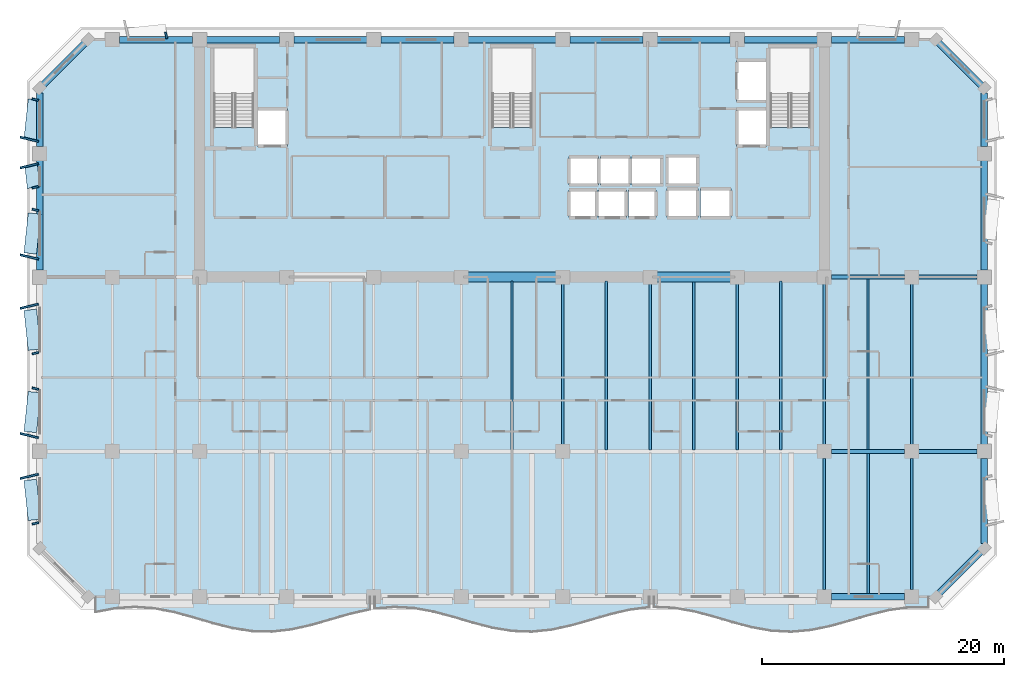
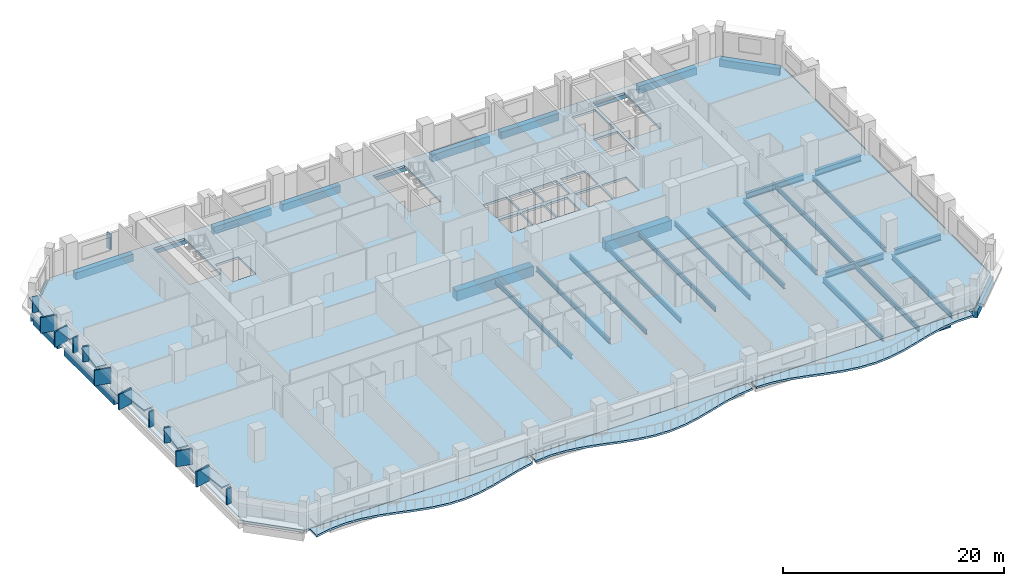
# One storey, part 2 of 14: 38 beams, 19 plates, 4 slabs.
"""IFC4 building model written with IfcOpenShell, lengths in metres."""

from ifc_helpers import new_model, si_unit, direction, frame, origin, origin_2d, place, context, subcontext, project, spatial, polyline, rectangle, i_section, outline, extrude, material, layer, layer_set, material_profile, profile_set, type_object, element, save


model = new_model("IFC4")

# Units and contexts
model_context = context("Model", 3, precision=1e-05, world=origin(), true_north=direction((0.0, 1.0)))
body_context = subcontext(model_context, "Body", "Model", "MODEL_VIEW")
ifc_project = project(units=[si_unit("LENGTHUNIT", "METRE"), si_unit("AREAUNIT", "SQUARE_METRE"), si_unit("VOLUMEUNIT", "CUBIC_METRE"), si_unit("PLANEANGLEUNIT", "RADIAN"), si_unit("MASSUNIT", "GRAM", prefix="KILO")], contexts=[model_context])

# Site, building, storey
site_placement = place(None, origin())
site = spatial("IfcSite", under=ifc_project, at=site_placement, CompositionType="ELEMENT")
building_placement = place(site_placement, origin())
building = spatial("IfcBuilding", under=site, at=building_placement, Name="Kaelvorn Grand Hotel", CompositionType="ELEMENT")
storey_placement = place(building_placement, frame((0.0, 0.0, 165.75)))
storey = spatial("IfcBuildingStorey", under=building, at=storey_placement, Name="L40", CompositionType="ELEMENT", Elevation=165.75)

# Beams
ifc_material_1 = material(Name="Steel S355", Category="steel")
ifc_material_profile_1 = material_profile(ifc_material_1, i_section(OverallWidth=0.300048828125, OverallDepth=0.64990234375, WebThickness=0.01611328125, FlangeThickness=0.031005859375, FilletRadius=0.027099609375, at=origin_2d()), Name="HEB 650")
ifc_profile_set_1 = profile_set([ifc_material_profile_1], Name="Steel S355")
beam_type_1 = type_object("IfcBeamType", Name="BM-G-HEB650-S355", PredefinedType="BEAM", material=ifc_profile_set_1)
beam_1_placement = place(storey_placement, frame((68.385009765625, 15.0, -0.56494140625), z_axis=(1.0, 0.0, 0.0), x_axis=(0.0, 1.0, 0.0)))
element("IfcBeam", 1, at=beam_1_placement, inside=storey, type_object=beam_type_1, Name="L40 Primary Spine Steel Girder G-15 06", PredefinedType="BEAM", context=body_context, shape_type="SweptSolid", body=[
    extrude(i_section(OverallWidth=0.300048828125, OverallDepth=0.64990234375, WebThickness=0.01611328125, FlangeThickness=0.031005859375, FilletRadius=0.027099609375, at=origin_2d()), origin(), (0.0, 0.0, 1.0), 6.030029296875),
])
beam_2_placement = place(storey_placement, frame((75.5849609375, 15.0, -0.56494140625), z_axis=(1.0, 0.0, 0.0), x_axis=(0.0, 1.0, 0.0)))
element("IfcBeam", 2, at=beam_2_placement, inside=storey, type_object=beam_type_1, Name="L40 Primary Spine Steel Girder G-15 07", PredefinedType="BEAM", context=body_context, shape_type="SweptSolid", body=[
    extrude(i_section(OverallWidth=0.300048828125, OverallDepth=0.64990234375, WebThickness=0.01611328125, FlangeThickness=0.031005859375, FilletRadius=0.027099609375, at=origin_2d()), origin(), (0.0, 0.0, 1.0), 4.830078125),
])
beam_3_placement = place(storey_placement, frame((68.385009765625, 29.39990234375, -0.56494140625), z_axis=(1.0, 0.0, 0.0), x_axis=(0.0, 1.0, 0.0)))
element("IfcBeam", 3, at=beam_3_placement, inside=storey, type_object=beam_type_1, Name="L40 East Core Wing Steel Girder G-29E 01", PredefinedType="BEAM", context=body_context, shape_type="SweptSolid", body=[
    extrude(i_section(OverallWidth=0.300048828125, OverallDepth=0.64990234375, WebThickness=0.01611328125, FlangeThickness=0.031005859375, FilletRadius=0.027099609375, at=origin_2d()), origin(), (0.0, 0.0, 1.0), 6.030029296875),
])
beam_4_placement = place(storey_placement, frame((75.5849609375, 29.39990234375, -0.56494140625), z_axis=(1.0, 0.0, 0.0), x_axis=(0.0, 1.0, 0.0)))
element("IfcBeam", 4, at=beam_4_placement, inside=storey, type_object=beam_type_1, Name="L40 East Core Wing Steel Girder G-29E 02", PredefinedType="BEAM", context=body_context, shape_type="SweptSolid", body=[
    extrude(i_section(OverallWidth=0.300048828125, OverallDepth=0.64990234375, WebThickness=0.01611328125, FlangeThickness=0.031005859375, FilletRadius=0.027099609375, at=origin_2d()), origin(), (0.0, 0.0, 1.0), 4.830078125),
])
ifc_material_profile_2 = material_profile(ifc_material_1, i_section(OverallWidth=0.199951171875, OverallDepth=0.5, WebThickness=0.01025390625, FlangeThickness=0.01611328125, FilletRadius=0.02099609375, at=origin_2d()), Name="IPE 500")
ifc_profile_set_2 = profile_set([ifc_material_profile_2], Name="Steel S355")
beam_type_2 = type_object("IfcBeamType", Name="BM-J-IPE500-S355", PredefinedType="JOIST", material=ifc_profile_set_2)
beam_5_placement = place(storey_placement, frame((42.0, 15.135009765625, -0.489990234375), z_axis=(0.0, 1.0, 0.0), x_axis=(-1.0, 0.0, 0.0)))
element("IfcBeam", 5, at=beam_5_placement, inside=storey, type_object=beam_type_2, Name="L40 Composite Floor Joist JM-12", PredefinedType="JOIST", context=body_context, shape_type="SweptSolid", body=[
    extrude(i_section(OverallWidth=0.199951171875, OverallDepth=0.5, WebThickness=0.01025390625, FlangeThickness=0.01611328125, FilletRadius=0.02099609375, at=origin_2d()), origin(), (0.0, 0.0, 1.0), 13.925048828125),
])
beam_6_placement = place(storey_placement, frame((46.199951171875, 15.5849609375, -0.489990234375), z_axis=(0.0, 1.0, 0.0), x_axis=(-1.0, 0.0, 0.0)))
element("IfcBeam", 6, at=beam_6_placement, inside=storey, type_object=beam_type_2, Name="L40 Composite Floor Joist JM-13", PredefinedType="JOIST", context=body_context, shape_type="SweptSolid", body=[
    extrude(i_section(OverallWidth=0.199951171875, OverallDepth=0.5, WebThickness=0.01025390625, FlangeThickness=0.01611328125, FilletRadius=0.02099609375, at=origin_2d()), origin(), (0.0, 0.0, 1.0), 13.22998046875),
])
beam_7_placement = place(storey_placement, frame((49.800048828125, 15.135009765625, -0.489990234375), z_axis=(0.0, 1.0, 0.0), x_axis=(-1.0, 0.0, 0.0)))
element("IfcBeam", 7, at=beam_7_placement, inside=storey, type_object=beam_type_2, Name="L40 Composite Floor Joist JM-14", PredefinedType="JOIST", context=body_context, shape_type="SweptSolid", body=[
    extrude(i_section(OverallWidth=0.199951171875, OverallDepth=0.5, WebThickness=0.01025390625, FlangeThickness=0.01611328125, FilletRadius=0.02099609375, at=origin_2d()), origin(), (0.0, 0.0, 1.0), 13.925048828125),
])
beam_8_placement = place(storey_placement, frame((53.39990234375, 15.135009765625, -0.489990234375), z_axis=(0.0, 1.0, 0.0), x_axis=(-1.0, 0.0, 0.0)))
element("IfcBeam", 8, at=beam_8_placement, inside=storey, type_object=beam_type_2, Name="L40 Composite Floor Joist JM-15", PredefinedType="JOIST", context=body_context, shape_type="SweptSolid", body=[
    extrude(i_section(OverallWidth=0.199951171875, OverallDepth=0.5, WebThickness=0.01025390625, FlangeThickness=0.01611328125, FilletRadius=0.02099609375, at=origin_2d()), origin(), (0.0, 0.0, 1.0), 13.679931640625),
])
beam_9_placement = place(storey_placement, frame((57.0, 15.135009765625, -0.489990234375), z_axis=(0.0, 1.0, 0.0), x_axis=(-1.0, 0.0, 0.0)))
element("IfcBeam", 9, at=beam_9_placement, inside=storey, type_object=beam_type_2, Name="L40 Composite Floor Joist JM-16", PredefinedType="JOIST", context=body_context, shape_type="SweptSolid", body=[
    extrude(i_section(OverallWidth=0.199951171875, OverallDepth=0.5, WebThickness=0.01025390625, FlangeThickness=0.01611328125, FilletRadius=0.02099609375, at=origin_2d()), origin(), (0.0, 0.0, 1.0), 13.925048828125),
])
beam_10_placement = place(storey_placement, frame((60.60009765625, 15.135009765625, -0.489990234375), z_axis=(0.0, 1.0, 0.0), x_axis=(-1.0, 0.0, 0.0)))
element("IfcBeam", 10, at=beam_10_placement, inside=storey, type_object=beam_type_2, Name="L40 Composite Floor Joist JM-17", PredefinedType="JOIST", context=body_context, shape_type="SweptSolid", body=[
    extrude(i_section(OverallWidth=0.199951171875, OverallDepth=0.5, WebThickness=0.01025390625, FlangeThickness=0.01611328125, FilletRadius=0.02099609375, at=origin_2d()), origin(), (0.0, 0.0, 1.0), 13.679931640625),
])
beam_11_placement = place(storey_placement, frame((64.199951171875, 15.135009765625, -0.489990234375), z_axis=(0.0, 1.0, 0.0), x_axis=(-1.0, 0.0, 0.0)))
element("IfcBeam", 11, at=beam_11_placement, inside=storey, type_object=beam_type_2, Name="L40 Composite Floor Joist JM-18", PredefinedType="JOIST", context=body_context, shape_type="SweptSolid", body=[
    extrude(i_section(OverallWidth=0.199951171875, OverallDepth=0.5, WebThickness=0.01025390625, FlangeThickness=0.01611328125, FilletRadius=0.02099609375, at=origin_2d()), origin(), (0.0, 0.0, 1.0), 13.925048828125),
])
beam_12_placement = place(storey_placement, frame((67.800048828125, 15.5849609375, -0.489990234375), z_axis=(0.0, 1.0, 0.0), x_axis=(-1.0, 0.0, 0.0)))
element("IfcBeam", 12, at=beam_12_placement, inside=storey, type_object=beam_type_2, Name="L40 Composite Floor Joist JM-19", PredefinedType="JOIST", context=body_context, shape_type="SweptSolid", body=[
    extrude(i_section(OverallWidth=0.199951171875, OverallDepth=0.5, WebThickness=0.01025390625, FlangeThickness=0.01611328125, FilletRadius=0.02099609375, at=origin_2d()), origin(), (0.0, 0.0, 1.0), 13.22998046875),
])
beam_13_placement = place(storey_placement, frame((71.39990234375, 15.135009765625, -0.489990234375), z_axis=(0.0, 1.0, 0.0), x_axis=(-1.0, 0.0, 0.0)))
element("IfcBeam", 13, at=beam_13_placement, inside=storey, type_object=beam_type_2, Name="L40 Composite Floor Joist JM-20", PredefinedType="JOIST", context=body_context, shape_type="SweptSolid", body=[
    extrude(i_section(OverallWidth=0.199951171875, OverallDepth=0.5, WebThickness=0.01025390625, FlangeThickness=0.01611328125, FilletRadius=0.02099609375, at=origin_2d()), origin(), (0.0, 0.0, 1.0), 14.1298828125),
])
beam_14_placement = place(storey_placement, frame((75.0, 15.5849609375, -0.489990234375), z_axis=(0.0, 1.0, 0.0), x_axis=(-1.0, 0.0, 0.0)))
element("IfcBeam", 14, at=beam_14_placement, inside=storey, type_object=beam_type_2, Name="L40 Composite Floor Joist JM-21", PredefinedType="JOIST", context=body_context, shape_type="SweptSolid", body=[
    extrude(i_section(OverallWidth=0.199951171875, OverallDepth=0.5, WebThickness=0.01025390625, FlangeThickness=0.01611328125, FilletRadius=0.02099609375, at=origin_2d()), origin(), (0.0, 0.0, 1.0), 13.22998046875),
])
ifc_material_profile_3 = material_profile(ifc_material_1, i_section(OverallWidth=0.2099609375, OverallDepth=0.550048828125, WebThickness=0.010986328125, FlangeThickness=0.01708984375, FilletRadius=0.02392578125, at=origin_2d()), Name="IPE 550")
ifc_profile_set_3 = profile_set([ifc_material_profile_3], Name="Steel S355")
beam_type_3 = type_object("IfcBeamType", Name="BM-J-IPE550-S355", PredefinedType="JOIST", material=ifc_profile_set_3)
beam_15_placement = place(storey_placement, frame((67.800048828125, 3.5849609375, -0.514892578125), z_axis=(0.0, 1.0, 0.0), x_axis=(-1.0, 0.0, 0.0)))
element("IfcBeam", 15, at=beam_15_placement, inside=storey, type_object=beam_type_3, Name="L40 Composite Floor Joist JS-19", PredefinedType="JOIST", context=body_context, shape_type="SweptSolid", body=[
    extrude(i_section(OverallWidth=0.2099609375, OverallDepth=0.550048828125, WebThickness=0.010986328125, FlangeThickness=0.01708984375, FilletRadius=0.02392578125, at=origin_2d()), origin(), (0.0, 0.0, 1.0), 10.830078125),
])
beam_16_placement = place(storey_placement, frame((71.39990234375, 3.260009765625, -0.514892578125), z_axis=(0.0, 1.0, 0.0), x_axis=(-1.0, 0.0, 0.0)))
element("IfcBeam", 16, at=beam_16_placement, inside=storey, type_object=beam_type_3, Name="L40 Composite Floor Joist JS-20", PredefinedType="JOIST", context=body_context, shape_type="SweptSolid", body=[
    extrude(i_section(OverallWidth=0.2099609375, OverallDepth=0.550048828125, WebThickness=0.010986328125, FlangeThickness=0.01708984375, FilletRadius=0.02392578125, at=origin_2d()), origin(), (0.0, 0.0, 1.0), 11.60498046875),
])
beam_17_placement = place(storey_placement, frame((75.0, 3.5849609375, -0.514892578125), z_axis=(0.0, 1.0, 0.0), x_axis=(-1.0, 0.0, 0.0)))
element("IfcBeam", 17, at=beam_17_placement, inside=storey, type_object=beam_type_3, Name="L40 Composite Floor Joist JS-21", PredefinedType="JOIST", context=body_context, shape_type="SweptSolid", body=[
    extrude(i_section(OverallWidth=0.2099609375, OverallDepth=0.550048828125, WebThickness=0.010986328125, FlangeThickness=0.01708984375, FilletRadius=0.02392578125, at=origin_2d()), origin(), (0.0, 0.0, 1.0), 10.830078125),
])
ifc_material_2 = material(Name="Concrete C60/75", Category="concrete")
ifc_material_profile_4 = material_profile(ifc_material_2, rectangle(XDim=0.800048828125, YDim=1.10009765625, at=origin_2d()), Name="RC LINTEL 800x1100")
ifc_profile_set_4 = profile_set([ifc_material_profile_4], Name="Concrete C60/75")
beam_type_4 = type_object("IfcBeamType", Name="BM-LIN-800x1100-C60", PredefinedType="LINTEL", material=ifc_profile_set_4)
beam_18_placement = place(storey_placement, frame((37.97998046875, 29.39990234375, -0.7900390625), z_axis=(1.0, 0.0, 0.0), x_axis=(0.0, 1.0, 0.0)))
element("IfcBeam", 18, at=beam_18_placement, inside=storey, type_object=beam_type_4, Name="L40 Rear-Core Coupling Lintel Beam CB1-02", PredefinedType="LINTEL", context=body_context, shape_type="SweptSolid", body=[
    extrude(rectangle(XDim=0.800048828125, YDim=1.10009765625, at=origin_2d()), origin(), (0.0, 0.0, 1.0), 8.0400390625),
])
beam_19_placement = place(storey_placement, frame((53.580078125, 29.39990234375, -0.7900390625), z_axis=(1.0, 0.0, 0.0), x_axis=(0.0, 1.0, 0.0)))
element("IfcBeam", 19, at=beam_19_placement, inside=storey, type_object=beam_type_4, Name="L40 Rear-Core Coupling Lintel Beam CB1-03", PredefinedType="LINTEL", context=body_context, shape_type="SweptSolid", body=[
    extrude(rectangle(XDim=0.800048828125, YDim=1.10009765625, at=origin_2d()), origin(), (0.0, 0.0, 1.0), 6.83984375),
])
ifc_material_3 = material(Name="Concrete C50/60", Category="concrete")
ifc_material_profile_5 = material_profile(ifc_material_3, rectangle(XDim=0.550048828125, YDim=0.800048828125, at=origin_2d()), Name="RC SPANDREL 550x800")
ifc_profile_set_5 = profile_set([ifc_material_profile_5], Name="Concrete C50/60")
beam_type_5 = type_object("IfcBeamType", Name="BM-SP-550x800-C50", PredefinedType="SPANDREL", material=ifc_profile_set_5)
for number, where, z_axis, x_axis, name in (
    (20, (68.385009765625, 3.0, -0.639892578125), (1.0, 0.0, 0.0), (0.0, 1.0, 0.0), "L40 South Perimeter Spandrel 10"),
    (21, (9.5849609375, 49.0, -0.639892578125), (1.0, 0.0, 0.0), (0.0, 1.0, 0.0), "L40 North Perimeter Spandrel 02"),
    (22, (16.784912109375, 49.0, -0.639892578125), (1.0, 0.0, 0.0), (0.0, 1.0, 0.0), "L40 North Perimeter Spandrel 03"),
):
    element("IfcBeam", number, at=place(storey_placement, frame(where, z_axis=z_axis, x_axis=x_axis)), inside=storey, type_object=beam_type_5, Name=name, PredefinedType="SPANDREL", context=body_context, shape_type="SweptSolid", body=[
        extrude(rectangle(XDim=0.550048828125, YDim=0.800048828125, at=origin_2d()), origin(), (0.0, 0.0, 1.0), 6.030029296875),
    ])
beam_20_placement = place(storey_placement, frame((23.985107421875, 49.0, -0.639892578125), z_axis=(1.0, 0.0, 0.0), x_axis=(0.0, 1.0, 0.0)))
element("IfcBeam", 23, at=beam_20_placement, inside=storey, type_object=beam_type_5, Name="L40 North Perimeter Spandrel 04", PredefinedType="SPANDREL", context=body_context, shape_type="SweptSolid", body=[
    extrude(rectangle(XDim=0.550048828125, YDim=0.800048828125, at=origin_2d()), origin(), (0.0, 0.0, 1.0), 6.02978515625),
])
beam_21_placement = place(storey_placement, frame((31.18505859375, 49.0, -0.639892578125), z_axis=(1.0, 0.0, 0.0), x_axis=(0.0, 1.0, 0.0)))
element("IfcBeam", 24, at=beam_21_placement, inside=storey, type_object=beam_type_5, Name="L40 North Perimeter Spandrel 05", PredefinedType="SPANDREL", context=body_context, shape_type="SweptSolid", body=[
    extrude(rectangle(XDim=0.550048828125, YDim=0.800048828125, at=origin_2d()), origin(), (0.0, 0.0, 1.0), 6.030029296875),
])
beam_22_placement = place(storey_placement, frame((38.385009765625, 49.0, -0.639892578125), z_axis=(1.0, 0.0, 0.0), x_axis=(0.0, 1.0, 0.0)))
element("IfcBeam", 25, at=beam_22_placement, inside=storey, type_object=beam_type_5, Name="L40 North Perimeter Spandrel 06", PredefinedType="SPANDREL", context=body_context, shape_type="SweptSolid", body=[
    extrude(rectangle(XDim=0.550048828125, YDim=0.800048828125, at=origin_2d()), origin(), (0.0, 0.0, 1.0), 7.22998046875),
])
beam_23_placement = place(storey_placement, frame((46.784912109375, 49.0, -0.639892578125), z_axis=(1.0, 0.0, 0.0), x_axis=(0.0, 1.0, 0.0)))
element("IfcBeam", 26, at=beam_23_placement, inside=storey, type_object=beam_type_5, Name="L40 North Perimeter Spandrel 07", PredefinedType="SPANDREL", context=body_context, shape_type="SweptSolid", body=[
    extrude(rectangle(XDim=0.550048828125, YDim=0.800048828125, at=origin_2d()), origin(), (0.0, 0.0, 1.0), 6.030029296875),
])
beam_24_placement = place(storey_placement, frame((53.985107421875, 49.0, -0.639892578125), z_axis=(1.0, 0.0, 0.0), x_axis=(0.0, 1.0, 0.0)))
element("IfcBeam", 27, at=beam_24_placement, inside=storey, type_object=beam_type_5, Name="L40 North Perimeter Spandrel 08", PredefinedType="SPANDREL", context=body_context, shape_type="SweptSolid", body=[
    extrude(rectangle(XDim=0.550048828125, YDim=0.800048828125, at=origin_2d()), origin(), (0.0, 0.0, 1.0), 6.02978515625),
])
for number, where, z_axis, x_axis, name in (
    (28, (61.18505859375, 49.0, -0.639892578125), (1.0, 0.0, 0.0), (0.0, 1.0, 0.0), "L40 North Perimeter Spandrel 09"),
    (29, (68.385009765625, 49.0, -0.639892578125), (1.0, 0.0, 0.0), (0.0, 1.0, 0.0), "L40 North Perimeter Spandrel 10"),
):
    element("IfcBeam", number, at=place(storey_placement, frame(where, z_axis=z_axis, x_axis=x_axis)), inside=storey, type_object=beam_type_5, Name=name, PredefinedType="SPANDREL", context=body_context, shape_type="SweptSolid", body=[
        extrude(rectangle(XDim=0.550048828125, YDim=0.800048828125, at=origin_2d()), origin(), (0.0, 0.0, 1.0), 6.030029296875),
    ])
beam_25_placement = place(storey_placement, frame((3.0, 29.985107421875, -0.639892578125), z_axis=(0.0, 1.0, 0.0), x_axis=(-1.0, 0.0, 0.0)))
element("IfcBeam", 30, at=beam_25_placement, inside=storey, type_object=beam_type_5, Name="L40 West Perimeter Spandrel 03", PredefinedType="SPANDREL", context=body_context, shape_type="SweptSolid", body=[
    extrude(rectangle(XDim=0.550048828125, YDim=0.800048828125, at=origin_2d()), origin(), (0.0, 0.0, 1.0), 9.02978515625),
])
beam_26_placement = place(storey_placement, frame((3.0, 40.18505859375, -0.639892578125), z_axis=(0.0, 1.0, 0.0), x_axis=(-1.0, 0.0, 0.0)))
element("IfcBeam", 31, at=beam_26_placement, inside=storey, type_object=beam_type_5, Name="L40 West Perimeter Spandrel 04", PredefinedType="SPANDREL", context=body_context, shape_type="SweptSolid", body=[
    extrude(rectangle(XDim=0.550048828125, YDim=0.800048828125, at=origin_2d()), origin(), (0.0, 0.0, 1.0), 4.409912109375),
])
beam_27_placement = place(storey_placement, frame((81.0, 7.405029296875, -0.639892578125), z_axis=(0.0, 1.0, 0.0), x_axis=(-1.0, 0.0, 0.0)))
element("IfcBeam", 32, at=beam_27_placement, inside=storey, type_object=beam_type_5, Name="L40 East Perimeter Spandrel 01", PredefinedType="SPANDREL", context=body_context, shape_type="SweptSolid", body=[
    extrude(rectangle(XDim=0.550048828125, YDim=0.800048828125, at=origin_2d()), origin(), (0.0, 0.0, 1.0), 7.010009765625),
])
beam_28_placement = place(storey_placement, frame((81.0, 15.5849609375, -0.639892578125), z_axis=(0.0, 1.0, 0.0), x_axis=(-1.0, 0.0, 0.0)))
element("IfcBeam", 33, at=beam_28_placement, inside=storey, type_object=beam_type_5, Name="L40 East Perimeter Spandrel 02", PredefinedType="SPANDREL", context=body_context, shape_type="SweptSolid", body=[
    extrude(rectangle(XDim=0.550048828125, YDim=0.800048828125, at=origin_2d()), origin(), (0.0, 0.0, 1.0), 13.22998046875),
])
beam_29_placement = place(storey_placement, frame((81.0, 29.985107421875, -0.639892578125), z_axis=(0.0, 1.0, 0.0), x_axis=(-1.0, 0.0, 0.0)))
element("IfcBeam", 34, at=beam_29_placement, inside=storey, type_object=beam_type_5, Name="L40 East Perimeter Spandrel 03", PredefinedType="SPANDREL", context=body_context, shape_type="SweptSolid", body=[
    extrude(rectangle(XDim=0.550048828125, YDim=0.800048828125, at=origin_2d()), origin(), (0.0, 0.0, 1.0), 9.02978515625),
])
beam_30_placement = place(storey_placement, frame((81.0, 40.18505859375, -0.639892578125), z_axis=(0.0, 1.0, 0.0), x_axis=(-1.0, 0.0, 0.0)))
element("IfcBeam", 35, at=beam_30_placement, inside=storey, type_object=beam_type_5, Name="L40 East Perimeter Spandrel 04", PredefinedType="SPANDREL", context=body_context, shape_type="SweptSolid", body=[
    extrude(rectangle(XDim=0.550048828125, YDim=0.800048828125, at=origin_2d()), origin(), (0.0, 0.0, 1.0), 4.409912109375),
])
for number, where, z_axis, x_axis, name in (
    (36, (77.0, 3.0, -0.639892578125), (0.707106781187, 0.707106781187, 0.0), (-0.707106781187, 0.707106781187, 0.0), "L40 Chamfer Spandrel Beam 1"),
    (37, (81.0, 45.0, -0.639892578125), (-0.707106781187, 0.707106781187, 0.0), (-0.707106781187, -0.707106781187, 0.0), "L40 Chamfer Spandrel Beam 2"),
    (38, (7.0, 49.0, -0.639892578125), (-0.707106781187, -0.707106781187, 0.0), (0.707106781187, -0.707106781187, 0.0), "L40 Chamfer Spandrel Beam 3"),
):
    element("IfcBeam", number, at=place(storey_placement, frame(where, z_axis=z_axis, x_axis=x_axis)), inside=storey, type_object=beam_type_5, Name=name, PredefinedType="SPANDREL", context=body_context, shape_type="SweptSolid", body=[
        extrude(rectangle(XDim=0.550048828125, YDim=0.800048828125, at=origin_2d()), origin(), (0.0, 0.0, 1.0), 5.65673828125),
    ])

# Plates
ifc_material_4 = material(Name="Precast concrete C45/55", Category="concrete")
ifc_layer_1 = layer(ifc_material_4, 0.159912109375)
ifc_layer_set_1 = layer_set([ifc_layer_1], Name="Precast concrete C45/55")
plate_type_1 = type_object("IfcPlateType", Name="PL-FRAME-DEEP-1550", PredefinedType="USERDEFINED", material=ifc_layer_set_1)
for number, where, z_axis, x_axis, name in (
    (39, (2.14501953125, 12.93994140625, 0.81494140625), (0.0, 0.0, 1.0), (-0.233445363856, 0.972369920398, 0.0), "L40 Tilted Precast Window Frame Fin R-W01"),
    (40, (2.14501953125, 16.31005859375, 0.81494140625), (0.0, 0.0, 1.0), (0.233445363856, 0.972369920398, 0.0), "L40 Tilted Precast Window Frame Fin L-W02"),
    (41, (2.14501953125, 26.989990234375, 0.81494140625), (0.0, 0.0, 1.0), (-0.233445363856, 0.972369920398, 0.0), "L40 Tilted Precast Window Frame Fin R-W03"),
    (42, (2.14501953125, 31.06005859375, 0.81494140625), (0.0, 0.0, 1.0), (0.233445363856, 0.972369920398, 0.0), "L40 Tilted Precast Window Frame Fin L-W04"),
    (43, (2.14501953125, 38.590087890625, 0.68994140625), (0.0, 0.0, 1.0), (-0.233445363856, 0.972369920398, 0.0), "L40 Tilted Precast Window Frame Fin R-W05"),
    (44, (2.14501953125, 40.77490234375, 0.740234375), (0.0, 0.0, 1.0), (0.233445363856, 0.972369920398, 0.0), "L40 Tilted Precast Window Frame Fin L-W06"),
):
    element("IfcPlate", number, at=place(storey_placement, frame(where, z_axis=z_axis, x_axis=x_axis)), inside=storey, type_object=plate_type_1, Name=name, ObjectType="FLANGE_PLATE", PredefinedType="USERDEFINED", context=body_context, shape_type="SweptSolid", body=[
        extrude(rectangle(XDim=0.159912109375, YDim=1.550048828125, at=origin_2d()), origin(), (0.0, 0.0, 1.0), 1.719970703125),
    ])
ifc_layer_2 = layer(ifc_material_4, 0.159912109375)
ifc_layer_set_2 = layer_set([ifc_layer_2], Name="Precast concrete C45/55")
plate_type_2 = type_object("IfcPlateType", Name="PL-FRAME-HEAD-1050", PredefinedType="USERDEFINED", material=ifc_layer_set_2)
for number, where, z_axis, x_axis, name in (
    (45, (2.39501953125, 11.0, 2.5), (0.0, 0.0, 1.0), (-0.105830199459, 0.994384215926, 0.0), "L40 Precast Window Frame Head Hood H-W01"),
    (46, (2.39501953125, 18.25, 2.5), (0.0, 0.0, 1.0), (0.105830199459, 0.994384215926, 0.0), "L40 Precast Window Frame Head Hood H-W02"),
    (47, (2.39501953125, 25.050048828125, 2.5), (0.0, 0.0, 1.0), (-0.105830199459, 0.994384215926, 0.0), "L40 Precast Window Frame Head Hood H-W03"),
    (48, (2.39501953125, 33.0, 2.5), (0.0, 0.0, 1.0), (0.105830199459, 0.994384215926, 0.0), "L40 Precast Window Frame Head Hood H-W04"),
):
    element("IfcPlate", number, at=place(storey_placement, frame(where, z_axis=z_axis, x_axis=x_axis)), inside=storey, type_object=plate_type_2, Name=name, ObjectType="FLANGE_PLATE", PredefinedType="USERDEFINED", context=body_context, shape_type="SweptSolid", body=[
        extrude(rectangle(XDim=3.320068359375, YDim=1.050048828125, at=origin_2d()), origin(), (0.0, 0.0, 1.0), 0.159912109375),
    ])
plate_1_placement = place(storey_placement, frame((2.39501953125, 37.699951171875, 2.25), z_axis=(0.0, 0.0, 1.0), x_axis=(-0.105830199459, 0.994384215926, 0.0)))
element("IfcPlate", 49, at=plate_1_placement, inside=storey, type_object=plate_type_2, Name="L40 Precast Window Frame Head Hood H-W05", ObjectType="FLANGE_PLATE", PredefinedType="USERDEFINED", context=body_context, shape_type="SweptSolid", body=[
    extrude(rectangle(XDim=1.860107421875, YDim=1.050048828125, at=origin_2d()), origin(), (0.0, 0.0, 1.0), 0.159912109375),
])
plate_2_placement = place(storey_placement, frame((2.39501953125, 42.4150390625, 2.35009765625), z_axis=(0.0, 0.0, 1.0), x_axis=(0.105830199459, 0.994384215926, 0.0)))
element("IfcPlate", 50, at=plate_2_placement, inside=storey, type_object=plate_type_2, Name="L40 Precast Window Frame Head Hood H-W06", ObjectType="FLANGE_PLATE", PredefinedType="USERDEFINED", context=body_context, shape_type="SweptSolid", body=[
    extrude(rectangle(XDim=3.320068359375, YDim=1.050048828125, at=origin_2d()), origin(), (0.0, 0.0, 1.0), 0.159912109375),
])
ifc_layer_3 = layer(ifc_material_4, 0.159912109375)
ifc_layer_set_3 = layer_set([ifc_layer_3], Name="Precast concrete C45/55")
plate_type_3 = type_object("IfcPlateType", Name="PL-FRAME-SHAL-550", PredefinedType="USERDEFINED", material=ifc_layer_set_3)
for number, where, z_axis, x_axis, name in (
    (51, (2.64501953125, 9.06005859375, 0.81494140625), (0.0, 0.0, 1.0), (-0.233445363856, 0.972369920398, 0.0), "L40 Tilted Precast Window Frame Fin L-W01"),
    (52, (2.64501953125, 20.18994140625, 0.81494140625), (0.0, 0.0, 1.0), (0.233445363856, 0.972369920398, 0.0), "L40 Tilted Precast Window Frame Fin R-W02"),
    (53, (2.64501953125, 23.110107421875, 0.81494140625), (0.0, 0.0, 1.0), (-0.233445363856, 0.972369920398, 0.0), "L40 Tilted Precast Window Frame Fin L-W03"),
    (54, (2.64501953125, 34.93994140625, 0.81494140625), (0.0, 0.0, 1.0), (0.233445363856, 0.972369920398, 0.0), "L40 Tilted Precast Window Frame Fin R-W04"),
    (55, (2.64501953125, 36.81005859375, 0.68994140625), (0.0, 0.0, 1.0), (-0.233445363856, 0.972369920398, 0.0), "L40 Tilted Precast Window Frame Fin L-W05"),
    (56, (2.64501953125, 44.054931640625, 0.740234375), (0.0, 0.0, 1.0), (0.233445363856, 0.972369920398, 0.0), "L40 Tilted Precast Window Frame Fin R-W06"),
    (57, (13.43994140625, 49.35498046875, 0.740234375), (0.0, 0.0, 1.0), (0.972369920398, 0.233445363856, 0.0), "L40 Tilted Precast Window Frame Fin R-N01"),
):
    element("IfcPlate", number, at=place(storey_placement, frame(where, z_axis=z_axis, x_axis=x_axis)), inside=storey, type_object=plate_type_3, Name=name, ObjectType="FLANGE_PLATE", PredefinedType="USERDEFINED", context=body_context, shape_type="SweptSolid", body=[
        extrude(rectangle(XDim=0.159912109375, YDim=0.550048828125, at=origin_2d()), origin(), (0.0, 0.0, 1.0), 1.719970703125),
    ])

# Slabs
ifc_material_5 = material(Name="Concrete C40/50", Category="concrete")
ifc_layer_4 = layer(ifc_material_5, 0.219970703125)
ifc_layer_set_4 = layer_set([ifc_layer_4], Name="Concrete C40/50")
slab_type_1 = type_object("IfcSlabType", Name="SLB-BALC-220-C40", PredefinedType="FLOOR", material=ifc_layer_set_4)
slab_1_placement = place(storey_placement, frame((0.0, 0.0, -0.219970703125)))
element("IfcSlab", 58, at=slab_1_placement, inside=storey, type_object=slab_type_1, Name="L40 Scalloped Wave Balcony Slab 1", PredefinedType="FLOOR", context=body_context, shape_type="SweptSolid", body=[
    extrude(outline(polyline([(7.60009765625, 1.7275390625), (9.218994140625, 2.0380859375), (10.838134765625, 2.14990234375), (12.45703125, 2.03857421875), (14.076171875, 1.728515625), (15.6953125, 1.286865234375), (17.314208984375, 0.809814453125), (18.933349609375, 0.401611328125), (20.552490234375, 0.15087890625), (22.17138671875, 0.1123046875), (23.79052734375, 0.294189453125), (25.409423828125, 0.656982421875), (27.028564453125, 1.12158203125), (28.647705078125, 1.587158203125), (30.2666015625, 1.951904296875), (30.2666015625, 3.0), (7.60009765625, 3.0), (7.60009765625, 1.7275390625)])), origin(), (0.0, 0.0, 1.0), 0.219970703125),
])
slab_2_placement = place(storey_placement, frame((0.0, 0.0, -0.219970703125)))
element("IfcSlab", 59, at=slab_2_placement, inside=storey, type_object=slab_type_1, Name="L40 Scalloped Wave Balcony Slab 2", PredefinedType="FLOOR", context=body_context, shape_type="SweptSolid", body=[
    extrude(outline(polyline([(30.666748046875, 2.0166015625), (32.28564453125, 2.14892578125), (33.90478515625, 2.058349609375), (35.52392578125, 1.764404296875), (37.142822265625, 1.33154296875), (38.761962890625, 0.853515625), (40.380859375, 0.4345703125), (42.0, 0.166015625), (43.619140625, 0.106201171875), (45.238037109375, 0.268310546875), (46.857177734375, 0.616943359375), (48.47607421875, 1.076171875), (50.09521484375, 1.546142578125), (51.71435546875, 1.92431640625), (53.333251953125, 2.12841796875), (53.333251953125, 3.0), (30.666748046875, 3.0), (30.666748046875, 2.0166015625)])), origin(), (0.0, 0.0, 1.0), 0.219970703125),
])
slab_3_placement = place(storey_placement, frame((0.0, 0.0, -0.219970703125)))
element("IfcSlab", 60, at=slab_3_placement, inside=storey, type_object=slab_type_1, Name="L40 Scalloped Wave Balcony Slab 3", PredefinedType="FLOOR", context=body_context, shape_type="SweptSolid", body=[
    extrude(outline(polyline([(53.7333984375, 2.14599609375), (55.352294921875, 2.076171875), (56.971435546875, 1.79931640625), (58.590576171875, 1.375732421875), (60.20947265625, 0.8974609375), (61.82861328125, 0.46875), (63.447509765625, 0.182861328125), (65.066650390625, 0.102294921875), (66.685791015625, 0.244140625), (68.3046875, 0.577880859375), (69.923828125, 1.03076171875), (71.54296875, 1.504150390625), (73.161865234375, 1.89501953125), (74.781005859375, 2.1181640625), (76.39990234375, 2.125), (76.39990234375, 3.0), (53.7333984375, 3.0), (53.7333984375, 2.14599609375)])), origin(), (0.0, 0.0, 1.0), 0.219970703125),
])
ifc_layer_5 = layer(ifc_material_5, 0.239990234375)
ifc_layer_set_5 = layer_set([ifc_layer_5], Name="Concrete C40/50")
slab_type_2 = type_object("IfcSlabType", Name="SLB-FLR-240-C40", PredefinedType="FLOOR", material=ifc_layer_set_5)
slab_4_placement = place(storey_placement, frame((0.0, 0.0, -0.239990234375)))
element("IfcSlab", 61, at=slab_4_placement, inside=storey, type_object=slab_type_2, Name="L40 Indoor Suspended Floor Slab", PredefinedType="FLOOR", context=body_context, shape_type="SweptSolid", body=[
    extrude(outline(polyline([(7.0, 3.0), (77.0, 3.0), (81.0, 7.0), (81.0, 45.0), (77.0, 49.0), (7.0, 49.0), (3.0, 45.0), (3.0, 7.0), (7.0, 3.0)]), holes=[polyline([(17.39990234375, 41.760009765625), (17.39990234375, 48.300048828125), (20.679931640625, 48.300048828125), (20.679931640625, 41.760009765625), (17.39990234375, 41.760009765625)]), polyline([(40.360107421875, 41.760009765625), (40.360107421875, 48.300048828125), (43.639892578125, 48.300048828125), (43.639892578125, 41.760009765625), (40.360107421875, 41.760009765625)]), polyline([(63.320068359375, 41.760009765625), (63.320068359375, 48.300048828125), (66.60009765625, 48.300048828125), (66.60009765625, 41.760009765625), (63.320068359375, 41.760009765625)]), polyline([(46.699951171875, 34.300048828125), (46.699951171875, 36.60009765625), (49.0, 36.60009765625), (49.0, 34.300048828125), (46.699951171875, 34.300048828125)]), polyline([(49.14990234375, 34.300048828125), (49.14990234375, 36.60009765625), (51.449951171875, 36.60009765625), (51.449951171875, 34.300048828125), (49.14990234375, 34.300048828125)]), polyline([(51.60009765625, 34.300048828125), (51.60009765625, 36.60009765625), (53.89990234375, 36.60009765625), (53.89990234375, 34.300048828125), (51.60009765625, 34.300048828125)]), polyline([(46.699951171875, 37.0), (46.699951171875, 39.35009765625), (49.14990234375, 39.35009765625), (49.14990234375, 37.0), (46.699951171875, 37.0)]), polyline([(49.300048828125, 37.0), (49.300048828125, 39.35009765625), (51.75, 39.35009765625), (51.75, 37.0), (49.300048828125, 37.0)]), polyline([(51.89990234375, 37.0), (51.89990234375, 39.35009765625), (54.35009765625, 39.35009765625), (54.35009765625, 37.0), (51.89990234375, 37.0)]), polyline([(54.800048828125, 34.300048828125), (54.800048828125, 36.699951171875), (57.35009765625, 36.699951171875), (57.35009765625, 34.300048828125), (54.800048828125, 34.300048828125)]), polyline([(57.550048828125, 34.300048828125), (57.550048828125, 36.699951171875), (60.10009765625, 36.699951171875), (60.10009765625, 34.300048828125), (57.550048828125, 34.300048828125)]), polyline([(54.800048828125, 37.0), (54.800048828125, 39.39990234375), (57.35009765625, 39.39990234375), (57.35009765625, 37.0), (54.800048828125, 37.0)]), polyline([(21.0, 40.199951171875), (21.0, 43.300048828125), (23.449951171875, 43.300048828125), (23.449951171875, 40.199951171875), (21.0, 40.199951171875)]), polyline([(60.550048828125, 40.199951171875), (60.550048828125, 43.300048828125), (63.0, 43.300048828125), (63.0, 40.199951171875), (60.550048828125, 40.199951171875)]), polyline([(60.550048828125, 43.89990234375), (60.550048828125, 47.300048828125), (63.0, 47.300048828125), (63.0, 43.89990234375), (60.550048828125, 43.89990234375)])]), origin(), (0.0, 0.0, 1.0), 0.239990234375),
])

save(model, "model.ifc")
